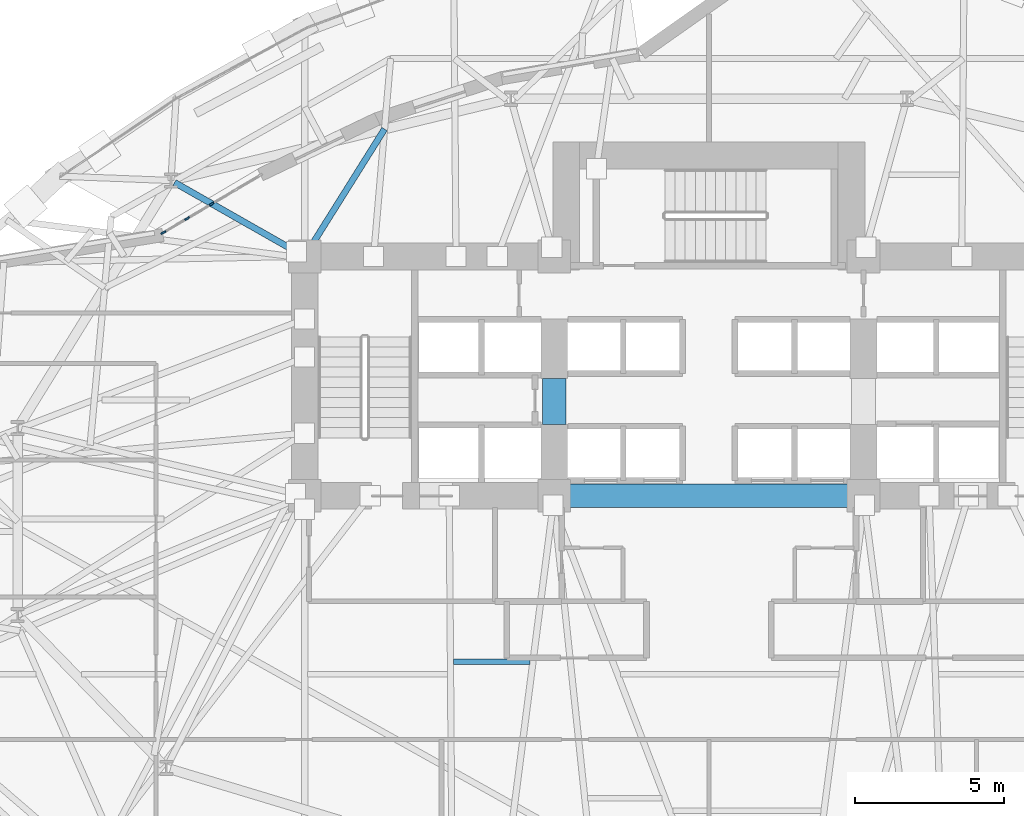
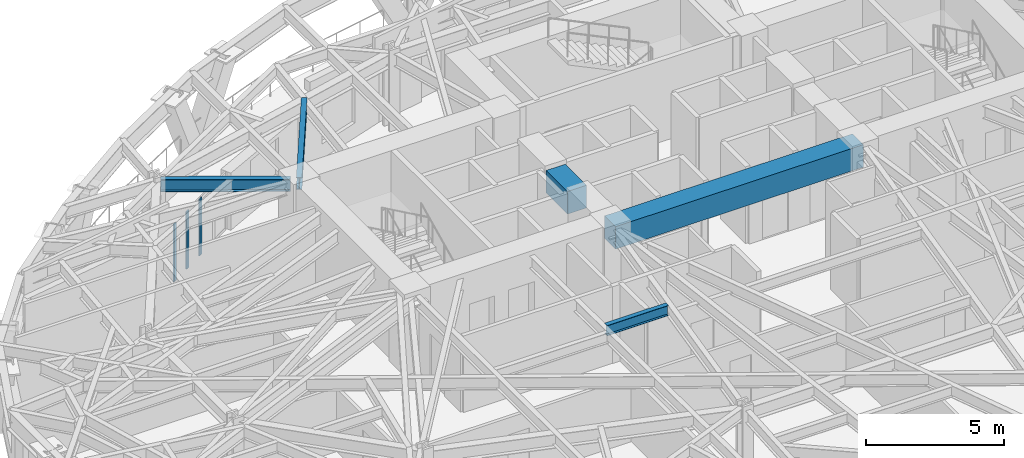
# One storey, part 3 of 17: 5 beams, 3 members, 1 element without a shape of its own.
"""IFC4 building model written with IfcOpenShell, lengths in metres."""

import ifcopenshell
import ifcopenshell.guid

model = None  # the IFC model being written
_history = None  # IfcOwnerHistory: only IFC2X3 demands one
_inside = {}  # id of a spatial element -> (the spatial element, [elements in it])
_under = {}  # id of a project, library or spatial element -> (it, [spatial elements below it])
_declared = {}  # id of a project -> (the project, [libraries it declares])
_typed = {}  # id of a type object -> (the type object, [elements of that type])
_made_of = {}  # id of a material, layer set ... -> (it, [elements and type objects made of it])


def new_model(schema):
    """Start an empty IFC model of exactly this schema.

    Asked for "IFC4X3", IfcOpenShell would pick the latest addendum, in which some entities
    have other attributes; the version numbers below select the first issue.
    IFC2X3 requires an IfcOwnerHistory on every rooted entity: one is made here for all.
    """
    global model, _history
    if schema == "IFC4X3":
        model = ifcopenshell.file(schema_version=(4, 3, 0, 0))
    else:
        model = ifcopenshell.file(schema=schema)
    _inside.clear()
    _under.clear()
    _declared.clear()
    _typed.clear()
    _made_of.clear()
    _history = None
    if model.schema == "IFC2X3":
        org = make("IfcOrganization", Name="unknown")
        user = make(
            "IfcPersonAndOrganization",
            ThePerson=make("IfcPerson", FamilyName="unknown"),
            TheOrganization=org,
        )
        app = make(
            "IfcApplication",
            ApplicationDeveloper=org,
            Version="unknown",
            ApplicationFullName="unknown",
            ApplicationIdentifier="unknown",
        )
        _history = make(
            "IfcOwnerHistory",
            OwningUser=user,
            OwningApplication=app,
            ChangeAction="ADDED",
            CreationDate=0,
        )
    return model


def make(cls, **values):
    """One entity of the class cls with the attributes given. An attribute that is None is left unset."""
    return model.create_entity(
        cls, **{name: value for name, value in values.items() if value is not None}
    )


def rooted(cls, **values):
    """An entity with a GlobalId (a new one), such as an element, a storey or a relation."""
    return make(cls, GlobalId=ifcopenshell.guid.new(), OwnerHistory=_history, **values)


def si_unit(unit_type, name, prefix=None):
    """IfcSIUnit, for example si_unit("LENGTHUNIT", "METRE", prefix="MILLI")."""
    return make("IfcSIUnit", UnitType=unit_type, Prefix=prefix, Name=name)


def assignment(units):
    """IfcUnitAssignment: the units of a project."""
    return None if units is None else make("IfcUnitAssignment", Units=units)


def point(xyz):
    """IfcCartesianPoint."""
    return None if xyz is None else make("IfcCartesianPoint", Coordinates=xyz)


def direction(xyz):
    """IfcDirection."""
    return None if xyz is None else make("IfcDirection", DirectionRatios=xyz)


def frame(location, z_axis=None, x_axis=None):
    """IfcAxis2Placement3D, a coordinate frame: its origin and axes. An axis left out is left unset."""
    return make(
        "IfcAxis2Placement3D",
        Location=point(location),
        Axis=direction(z_axis),
        RefDirection=direction(x_axis),
    )


def frame_2d(location, x_axis=None):
    """IfcAxis2Placement2D, a coordinate frame in the plane: its origin and x axis."""
    return make(
        "IfcAxis2Placement2D", Location=point(location), RefDirection=direction(x_axis)
    )


def origin():
    """The frame at (0, 0, 0) with its axes left unset."""
    return frame((0.0, 0.0, 0.0))


def origin_2d():
    """The frame at (0, 0) in the plane with its x axis left unset."""
    return frame_2d((0.0, 0.0))


def place(relative_to, where):
    """IfcLocalPlacement: puts the frame where relative to a parent placement (None: the world)."""
    return make(
        "IfcLocalPlacement", PlacementRelTo=relative_to, RelativePlacement=where
    )


def context(
    kind, dimensions, precision=None, world=None, true_north=None, identifier=None
):
    """IfcGeometricRepresentationContext, for example the 3D "Model" context."""
    return make(
        "IfcGeometricRepresentationContext",
        ContextIdentifier=identifier,
        ContextType=kind,
        CoordinateSpaceDimension=dimensions,
        Precision=precision,
        WorldCoordinateSystem=world,
        TrueNorth=true_north,
    )


def subcontext(parent, identifier, kind, view, scale=None):
    """IfcGeometricRepresentationSubContext, for example "Body" below "Model"."""
    return make(
        "IfcGeometricRepresentationSubContext",
        ContextIdentifier=identifier,
        ContextType=kind,
        ParentContext=parent,
        TargetScale=scale,
        TargetView=view,
    )


def project(units=None, contexts=None):
    """IfcProject with its units and contexts."""
    return rooted(
        "IfcProject",
        Name="project",
        RepresentationContexts=contexts,
        UnitsInContext=assignment(units),
    )


def spatial(cls, under=None, at=None, **own):
    """A site, building, storey or space (cls), placed at a placement, below another one or the project."""
    s = rooted(cls, ObjectPlacement=at, **own)
    if under is not None:
        _under.setdefault(under.id(), (under, []))[1].append(s)
    return s


def profile(cls, at=None, kind="AREA", **sizes):
    """A parametric profile (cls). Its sizes go by their IFC names, for example OverallWidth=200.0."""
    return make(cls, ProfileType=kind, Position=at, **sizes)


def rectangle(**sizes):
    """IfcRectangleProfileDef."""
    return profile("IfcRectangleProfileDef", **sizes)


def i_section(**sizes):
    """IfcIShapeProfileDef."""
    return profile("IfcIShapeProfileDef", **sizes)


def extrude(swept, where, along, depth):
    """IfcExtrudedAreaSolid: the profile swept, set in the frame where, extruded along a direction by depth."""
    return make(
        "IfcExtrudedAreaSolid",
        SweptArea=swept,
        Position=where,
        ExtrudedDirection=direction(along),
        Depth=depth,
    )


def shape(context_of_items, identifier, shape_type, items):
    """IfcShapeRepresentation: the items that make up one representation, for example the "Body"."""
    return make(
        "IfcShapeRepresentation",
        ContextOfItems=context_of_items,
        RepresentationIdentifier=identifier,
        RepresentationType=shape_type,
        Items=items,
    )


def material(Name=None, Category=None):
    """IfcMaterial."""
    return make("IfcMaterial", Name=Name, Category=Category)


def layer(
    of_material, thickness, ventilated=None, Name=None, Category=None, Priority=None
):
    """IfcMaterialLayer: one layer of a wall or slab, of a material (None: an air gap)."""
    return make(
        "IfcMaterialLayer",
        Material=of_material,
        LayerThickness=thickness,
        IsVentilated=ventilated,
        Name=Name,
        Category=Category,
        Priority=Priority,
    )


def layer_set(layers, Name=None):
    """IfcMaterialLayerSet."""
    return make("IfcMaterialLayerSet", MaterialLayers=layers, LayerSetName=Name)


def material_profile(
    of_material, cross_section, Name=None, Category=None, Priority=None
):
    """IfcMaterialProfile: a cross section and its material."""
    return make(
        "IfcMaterialProfile",
        Name=Name,
        Material=of_material,
        Profile=cross_section,
        Priority=Priority,
        Category=Category,
    )


def profile_set(profiles, Name=None, composite=None):
    """IfcMaterialProfileSet."""
    return make(
        "IfcMaterialProfileSet",
        Name=Name,
        MaterialProfiles=profiles,
        CompositeProfile=composite,
    )


def made_of(thing, what):
    """Note that an element or type object is made of a material, layer set ...; save() writes the relation."""
    if what is not None:
        _made_of.setdefault(what.id(), (what, []))[1].append(thing)
    return thing


def type_object(cls, material=None, **own):
    """A type object (cls), such as IfcWallType, which elements share."""
    return made_of(rooted(cls, **own), material)


def element(
    cls,
    number,
    at=None,
    inside=None,
    cuts=None,
    type_object=None,
    material=None,
    context=None,
    identifier="Body",
    shape_type=None,
    held_by="IfcProductDefinitionShape",
    body=None,
    shapes=None,
    **own,
):
    """One element of the class cls, such as IfcWall. Its Tag is "e" and its number.

    at: its placement. inside: the storey or other place that contains it. cuts: it is an
    opening in that element (IfcRelVoidsElement). A single representation is given by context,
    identifier, shape_type and body (its items); several are given by shapes. held_by: the class
    of the entity that holds the representations. save() writes the other relations.
    """
    e = rooted(cls, Tag="e%d" % number, ObjectPlacement=at, **own)
    if body is not None:
        shapes = [shape(context, identifier, shape_type, body)]
    if shapes is not None:
        e.Representation = make(held_by, Representations=shapes)
    if inside is not None:
        _inside.setdefault(inside.id(), (inside, []))[1].append(e)
    if cuts is not None:
        rooted(
            "IfcRelVoidsElement", RelatingBuildingElement=cuts, RelatedOpeningElement=e
        )
    if type_object is not None:
        _typed.setdefault(type_object.id(), (type_object, []))[1].append(e)
    return made_of(e, material)


def aggregate(whole, parts):
    """IfcRelAggregates: a whole, such as a stair, and the parts it consists of."""
    return rooted("IfcRelAggregates", RelatingObject=whole, RelatedObjects=parts)


def save(model, path):
    """Write the relations noted so far, then the file.

    IfcRelAggregates (storeys below a building ...), IfcRelContainedInSpatialStructure (elements
    in a storey), IfcRelDefinesByType, IfcRelAssociatesMaterial and IfcRelDeclares: one each for
    every whole, place, type object, material and project.
    """
    for whole, parts in _under.values():
        aggregate(whole, parts)
    for where, things in _inside.values():
        rooted(
            "IfcRelContainedInSpatialStructure",
            RelatedElements=things,
            RelatingStructure=where,
        )
    for kind, things in _typed.values():
        rooted("IfcRelDefinesByType", RelatedObjects=things, RelatingType=kind)
    for what, things in _made_of.values():
        rooted("IfcRelAssociatesMaterial", RelatedObjects=things, RelatingMaterial=what)
    for by, libraries in _declared.values():
        rooted("IfcRelDeclares", RelatingContext=by, RelatedDefinitions=libraries)
    model.write(path)


model = new_model("IFC4")

# Units and contexts
model_context = context("Model", 3, precision=1e-05, world=origin(), true_north=direction((0.0, 1.0)))
body_context = subcontext(model_context, "Body", "Model", "MODEL_VIEW")
ifc_project = project(units=[si_unit("LENGTHUNIT", "METRE"), si_unit("AREAUNIT", "SQUARE_METRE"), si_unit("VOLUMEUNIT", "CUBIC_METRE"), si_unit("PLANEANGLEUNIT", "RADIAN"), si_unit("MASSUNIT", "GRAM", prefix="KILO")], contexts=[model_context])

# Site, building, storey
site_placement = place(None, origin())
site = spatial("IfcSite", under=ifc_project, at=site_placement, CompositionType="ELEMENT")
building_placement = place(site_placement, origin())
building = spatial("IfcBuilding", under=site, at=building_placement, Name="Keldmark Tower", CompositionType="ELEMENT")
storey_placement = place(building_placement, frame((0.0, 0.0, 70.199951171875)))
storey = spatial("IfcBuildingStorey", under=building, at=storey_placement, Name="L18", CompositionType="ELEMENT", Elevation=70.199951171875)

# Beams
ifc_material_1 = material(Name="Steel ASTM A992 Grade 50", Category="steel")
ifc_material_profile_1 = material_profile(ifc_material_1, i_section(OverallWidth=0.19091796875, OverallDepth=0.45703125, WebThickness=0.009033203125, FlangeThickness=0.014404296875, at=origin_2d()), Name="W18X50")
ifc_profile_set_1 = profile_set([ifc_material_profile_1], Name="Steel ASTM A992 Grade 50")
beam_type_1 = type_object("IfcBeamType", Name="Composite Floor Joist W18X50", PredefinedType="JOIST", material=ifc_profile_set_1)
beam_1_placement = place(storey_placement, frame((-8.598388671875, -4.179931640625, 3.171630859375), z_axis=(1.0, 0.0, 0.0), x_axis=(0.0, 1.0, 0.0)))
element("IfcBeam", 1, at=beam_1_placement, inside=storey, type_object=beam_type_1, Name="L18 Composite Floor Joist J11", PredefinedType="JOIST", context=body_context, shape_type="SweptSolid", body=[
    extrude(i_section(OverallWidth=0.19091796875, OverallDepth=0.45703125, WebThickness=0.009033203125, FlangeThickness=0.014404296875, at=origin_2d()), origin(), (0.0, 0.0, 1.0), 2.58154296875),
])
ifc_material_2 = material(Name="Concrete C70/85", Category="concrete")
ifc_material_profile_2 = material_profile(ifc_material_2, rectangle(XDim=0.800048828125, YDim=1.0, at=origin_2d()), Name="RCB800X1000")
ifc_profile_set_2 = profile_set([ifc_material_profile_2], Name="Concrete C70/85")
beam_type_2 = type_object("IfcBeamType", Name="Core Coupling Beam RCB800X1000", PredefinedType="USERDEFINED", material=ifc_profile_set_2)
beam_2_placement = place(storey_placement, frame((-5.199951171875, 3.800048828125, 2.900146484375), z_axis=(0.0, 1.0, 0.0), x_axis=(-1.0, 0.0, 0.0)))
element("IfcBeam", 2, at=beam_2_placement, inside=storey, type_object=beam_type_2, Name="L18 West Core Coupling Beam", ObjectType="COUPLING BEAM", PredefinedType="USERDEFINED", context=body_context, shape_type="SweptSolid", body=[
    extrude(rectangle(XDim=0.800048828125, YDim=1.0, at=origin_2d()), origin(), (0.0, 0.0, 1.0), 1.550048828125),
])
beam_3_placement = place(storey_placement, frame((-5.199951171875, 1.39990234375, 2.900146484375), z_axis=(1.0, 0.0, 0.0), x_axis=(0.0, 1.0, 0.0)))
element("IfcBeam", 3, at=beam_3_placement, inside=storey, type_object=beam_type_2, Name="L18 Central South Core Coupling Beam", ObjectType="COUPLING BEAM", PredefinedType="USERDEFINED", context=body_context, shape_type="SweptSolid", body=[
    extrude(rectangle(XDim=0.800048828125, YDim=1.0, at=origin_2d()), origin(), (0.0, 0.0, 1.0), 10.39990234375),
])

# Curtain wall, members
ifc_material_3 = material(Name="Unitized Thermally Broken Aluminum and Triple Low-E Glazing", Category="aluminium")
ifc_layer = layer(ifc_material_3, 0.219970703125)
ifc_layer_set = layer_set([ifc_layer], Name="Unitized Thermally Broken Aluminum and Triple Low-E Glazing")
curtain_wall_type = type_object("IfcCurtainWallType", Name="Spiralling Sky-Garden Feature Curtain Wall System", PredefinedType="NOTDEFINED", material=ifc_layer_set)
curtain_wall_placement = place(storey_placement, origin())
curtain_wall = element("IfcCurtainWall", 4, at=curtain_wall_placement, inside=storey, type_object=curtain_wall_type, Name="L18 Spiralling Sky-Garden Feature Curtain Wall System CW-L18-12", PredefinedType="NOTDEFINED")
ifc_material_4 = material(Name="Extruded Aluminum Alloy 6063-T6", Category="aluminium")
ifc_material_profile_3 = material_profile(ifc_material_4, rectangle(XDim=0.06005859375, YDim=0.179931640625, at=origin_2d()), Name="CWM60X180")
ifc_profile_set_3 = profile_set([ifc_material_profile_3], Name="Extruded Aluminum Alloy 6063-T6")
member_type = type_object("IfcMemberType", Name="Curtain Wall Structural Mullion 60x180", PredefinedType="MULLION", material=ifc_profile_set_3)
member_1_placement = place(storey_placement, frame((-18.35400390625, 10.254638671875, 0.0), z_axis=(0.0, 0.0, 1.0), x_axis=(-0.508955086875, 0.860793075916, 0.0)))
member_1 = element("IfcMember", 5, at=member_1_placement, type_object=member_type, Name="CW mullion 1", PredefinedType="MULLION", context=body_context, shape_type="SweptSolid", body=[
    extrude(rectangle(XDim=0.06005859375, YDim=0.179931640625, at=origin_2d()), origin(), (0.0, 0.0, 1.0), 2.529052734375),
])
member_2_placement = place(storey_placement, frame((-17.5546875, 10.727294921875, 0.0), z_axis=(0.0, 0.0, 1.0), x_axis=(-0.508955086875, 0.860793075916, 0.0)))
member_2 = element("IfcMember", 6, at=member_2_placement, type_object=member_type, Name="CW mullion 2", PredefinedType="MULLION", context=body_context, shape_type="SweptSolid", body=[
    extrude(rectangle(XDim=0.06005859375, YDim=0.179931640625, at=origin_2d()), origin(), (0.0, 0.0, 1.0), 2.529052734375),
])
member_3_placement = place(storey_placement, frame((-16.7294921875, 11.21533203125, 0.0), z_axis=(0.0, 0.0, 1.0), x_axis=(-0.508955086875, 0.860793075916, 0.0)))
member_3 = element("IfcMember", 7, at=member_3_placement, type_object=member_type, Name="CW mullion 3", PredefinedType="MULLION", context=body_context, shape_type="SweptSolid", body=[
    extrude(rectangle(XDim=0.06005859375, YDim=0.179931640625, at=origin_2d()), origin(), (0.0, 0.0, 1.0), 2.529052734375),
])
aggregate(curtain_wall, [member_1, member_2, member_3])

# Beams
ifc_material_5 = material(Name="Steel ASTM A992 Grade 50", Category="steel")
ifc_material_profile_4 = material_profile(ifc_material_5, i_section(OverallWidth=0.2099609375, OverallDepth=0.537109375, WebThickness=0.010986328125, FlangeThickness=0.017333984375, at=origin_2d()), Name="W21X68")
ifc_profile_set_4 = profile_set([ifc_material_profile_4], Name="Steel ASTM A992 Grade 50")
beam_type_3 = type_object("IfcBeamType", Name="Radial Tie Girder W21X68", PredefinedType="BEAM", material=ifc_profile_set_4)
beam_4_placement = place(storey_placement, frame((-13.60009765625, 9.449951171875, 3.131591796875), z_axis=(0.531273192501, 0.84720056358, 0.0), x_axis=(-0.84720056358, 0.531273192501, 0.0)))
element("IfcBeam", 8, at=beam_4_placement, inside=storey, type_object=beam_type_3, Name="L18 Framing Pin Header PH-003", PredefinedType="BEAM", context=body_context, shape_type="SweptSolid", body=[
    extrude(i_section(OverallWidth=0.2099609375, OverallDepth=0.537109375, WebThickness=0.010986328125, FlangeThickness=0.017333984375, at=origin_2d()), origin(), (0.0, 0.0, 1.0), 5.060791015625),
])
ifc_material_6 = material(Name="Steel ASTM A992 Grade 50", Category="steel")
ifc_material_profile_5 = material_profile(ifc_material_6, i_section(OverallWidth=0.214111328125, OverallDepth=0.549072265625, WebThickness=0.0146484375, FlangeThickness=0.023681640625, at=origin_2d()), Name="W21X93")
ifc_profile_set_5 = profile_set([ifc_material_profile_5], Name="Steel ASTM A992 Grade 50")
beam_type_4 = type_object("IfcBeamType", Name="Radial Tie Girder W21X93", PredefinedType="BEAM", material=ifc_profile_set_5)
beam_5_placement = place(storey_placement, frame((-17.97607421875, 11.938232421875, 3.12548828125), z_axis=(0.869299282131, -0.494286109542, 0.0), x_axis=(0.494286109542, 0.869299282131, 0.0)))
element("IfcBeam", 9, at=beam_5_placement, inside=storey, type_object=beam_type_4, Name="L18 Floor Radial Girder FG-C05", PredefinedType="BEAM", context=body_context, shape_type="SweptSolid", body=[
    extrude(i_section(OverallWidth=0.214111328125, OverallDepth=0.549072265625, WebThickness=0.0146484375, FlangeThickness=0.023681640625, at=origin_2d()), origin(), (0.0, 0.0, 1.0), 4.714111328125),
])

save(model, "model.ifc")
